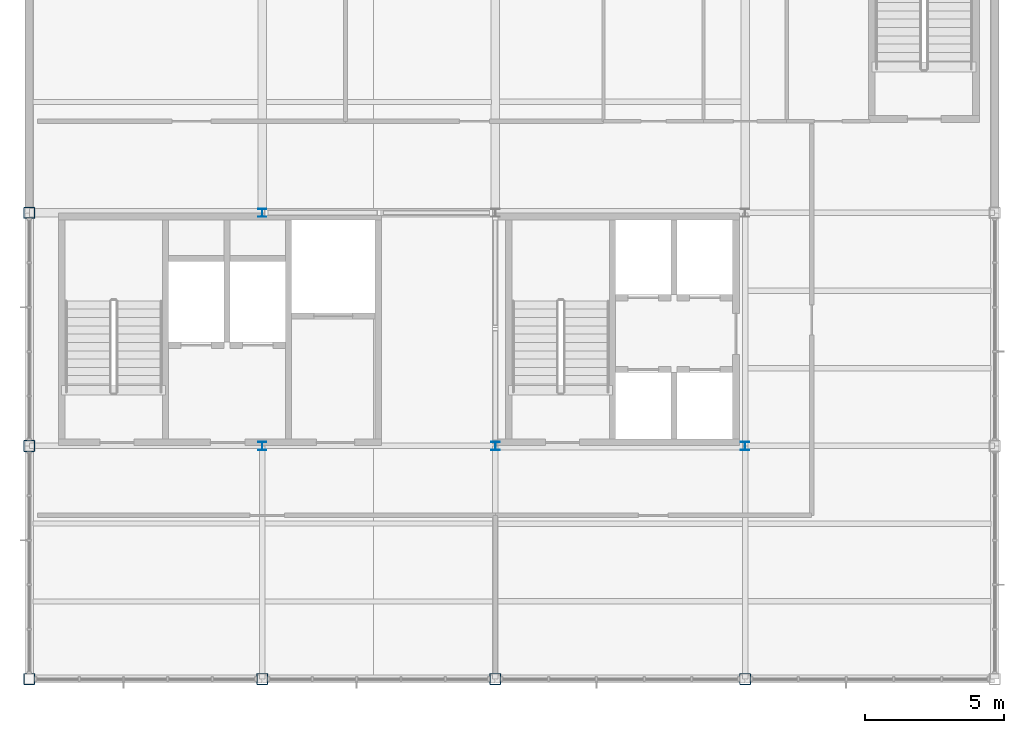
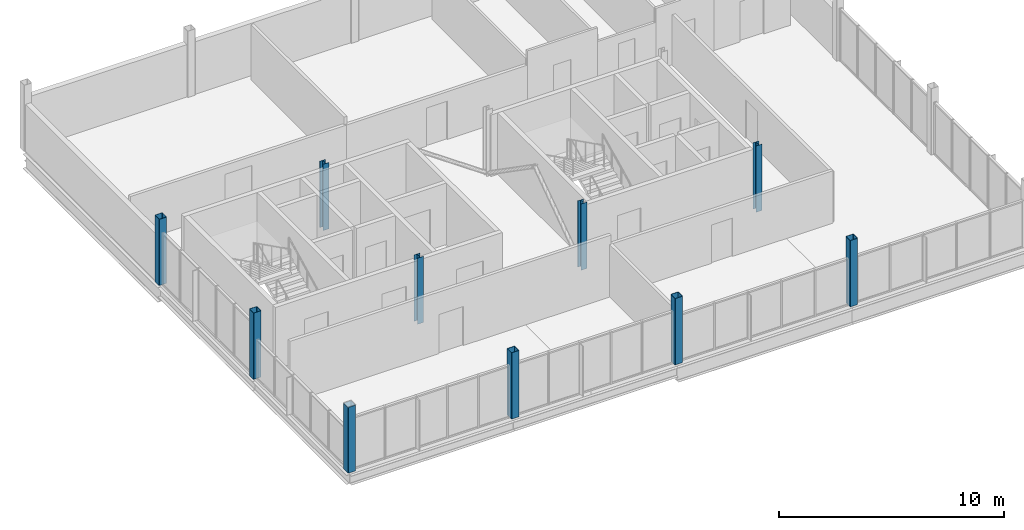
# One storey, part 1 of 15: 10 columns.
"""IFC4 building model written with IfcOpenShell, lengths in metres."""

from ifc_helpers import new_model, si_unit, direction, frame, origin, origin_2d, place, context, subcontext, project, spatial, hollow_rectangle, i_section, extrude, material, material_profile, profile_set, type_object, element, save


model = new_model("IFC4")

# Units and contexts
model_context = context("Model", 3, precision=1e-05, world=origin(), true_north=direction((0.0, 1.0)))
body_context = subcontext(model_context, "Body", "Model", "MODEL_VIEW")
ifc_project = project(units=[si_unit("LENGTHUNIT", "METRE"), si_unit("AREAUNIT", "SQUARE_METRE"), si_unit("VOLUMEUNIT", "CUBIC_METRE"), si_unit("PLANEANGLEUNIT", "RADIAN"), si_unit("MASSUNIT", "GRAM", prefix="KILO")], contexts=[model_context])

# Site, building, storey
site_placement = place(None, origin())
site = spatial("IfcSite", under=ifc_project, at=site_placement, CompositionType="ELEMENT")
building_placement = place(site_placement, origin())
building = spatial("IfcBuilding", under=site, at=building_placement, Name="Yukiwa Park Conservatory and Herbarium", CompositionType="ELEMENT")
storey_placement = place(building_placement, frame((0.0, 0.0, 54.0)))
storey = spatial("IfcBuildingStorey", under=building, at=storey_placement, Name="L14", CompositionType="ELEMENT", Elevation=54.0)

# Columns
ifc_material_1 = material(Name="Steel Q355D", Category="steel")
ifc_material_profile_1 = material_profile(ifc_material_1, hollow_rectangle(XDim=0.39990234375, YDim=0.39990234375, WallThickness=0.01611328125, InnerFilletRadius=0.01611328125, OuterFilletRadius=0.031982421875, at=origin_2d()), Name="BOX 400x400x16")
ifc_profile_set_1 = profile_set([ifc_material_profile_1], Name="Steel Q355D")
column_type_1 = type_object("IfcColumnType", Name="COL-TW-BOX400-EXT", PredefinedType="COLUMN", material=ifc_profile_set_1)
column_placement = place(storey_placement, frame((133.199951171875, 86.39990234375, 0.0), z_axis=(0.0, 0.0, 1.0), x_axis=(1.0, 0.0, 0.0)))
element("IfcColumn", 1, at=column_placement, inside=storey, type_object=column_type_1, Name="L14 column V5-X1332-Y864", PredefinedType="COLUMN", context=body_context, shape_type="SweptSolid", body=[
    extrude(hollow_rectangle(XDim=0.39990234375, YDim=0.39990234375, WallThickness=0.01611328125, InnerFilletRadius=0.01611328125, OuterFilletRadius=0.031982421875, at=origin_2d()), origin(), (0.0, 0.0, 1.0), 3.575927734375),
])
for number, where, z_axis, x_axis, name in (
    (2, (133.199951171875, 94.800048828125, 0.0), (0.0, 0.0, 1.0), (1.0, 0.0, 0.0), "L14 column V5-X1332-Y948"),
    (3, (133.199951171875, 103.199951171875, 0.0), (0.0, 0.0, 1.0), (1.0, 0.0, 0.0), "L14 column V5-X1332-Y1032"),
    (4, (141.60009765625, 86.39990234375, 0.0), (0.0, 0.0, 1.0), (1.0, 0.0, 0.0), "L14 column V5-X1416-Y864"),
    (5, (150.0, 86.39990234375, 0.0), (0.0, 0.0, 1.0), (1.0, 0.0, 0.0), "L14 column V5-X1500-Y864"),
    (6, (159.0, 86.39990234375, 0.0), (0.0, 0.0, 1.0), (1.0, 0.0, 0.0), "L14 column V5-X1590-Y864"),
):
    element("IfcColumn", number, at=place(storey_placement, frame(where, z_axis=z_axis, x_axis=x_axis)), inside=storey, type_object=column_type_1, Name=name, PredefinedType="COLUMN", context=body_context, shape_type="SweptSolid", body=[
        extrude(hollow_rectangle(XDim=0.39990234375, YDim=0.39990234375, WallThickness=0.01611328125, InnerFilletRadius=0.01611328125, OuterFilletRadius=0.031982421875, at=origin_2d()), origin(), (0.0, 0.0, 1.0), 3.60009765625),
    ])
ifc_material_2 = material(Name="Steel Q355D", Category="steel")
ifc_material_profile_2 = material_profile(ifc_material_2, i_section(OverallWidth=0.302001953125, OverallDepth=0.2939453125, WebThickness=0.011962890625, FlangeThickness=0.011962890625, FilletRadius=0.01806640625, at=origin_2d()), Name="HW 294x302x12x12")
ifc_profile_set_2 = profile_set([ifc_material_profile_2], Name="Steel Q355D")
column_type_2 = type_object("IfcColumnType", Name="COL-TW-HW294", PredefinedType="COLUMN", material=ifc_profile_set_2)
for number, where, z_axis, x_axis, name in (
    (7, (141.60009765625, 94.800048828125, 0.0), (0.0, 0.0, 1.0), (1.0, 0.0, 0.0), "L14 column V5-X1416-Y948"),
    (8, (141.60009765625, 103.199951171875, 0.0), (0.0, 0.0, 1.0), (1.0, 0.0, 0.0), "L14 column V5-X1416-Y1032"),
    (9, (150.0, 94.800048828125, 0.0), (0.0, 0.0, 1.0), (1.0, 0.0, 0.0), "L14 column V5-X1500-Y948"),
    (10, (159.0, 94.800048828125, 0.0), (0.0, 0.0, 1.0), (1.0, 0.0, 0.0), "L14 column V5-X1590-Y948"),
):
    element("IfcColumn", number, at=place(storey_placement, frame(where, z_axis=z_axis, x_axis=x_axis)), inside=storey, type_object=column_type_2, Name=name, PredefinedType="COLUMN", context=body_context, shape_type="SweptSolid", body=[
        extrude(i_section(OverallWidth=0.302001953125, OverallDepth=0.2939453125, WebThickness=0.011962890625, FlangeThickness=0.011962890625, FilletRadius=0.01806640625, at=origin_2d()), origin(), (0.0, 0.0, 1.0), 3.60009765625),
    ])

save(model, "model.ifc")
